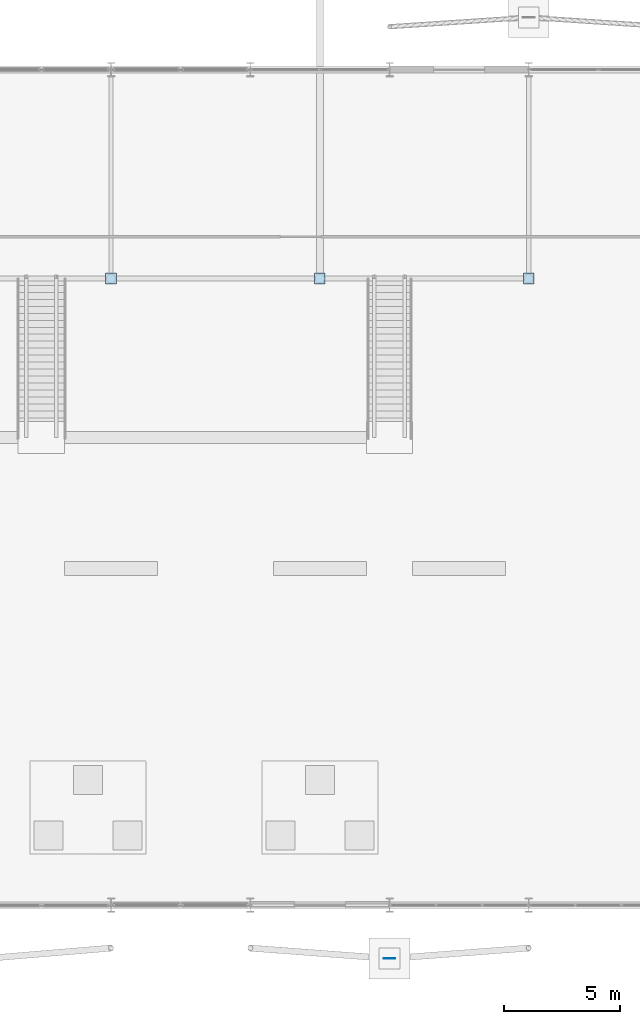
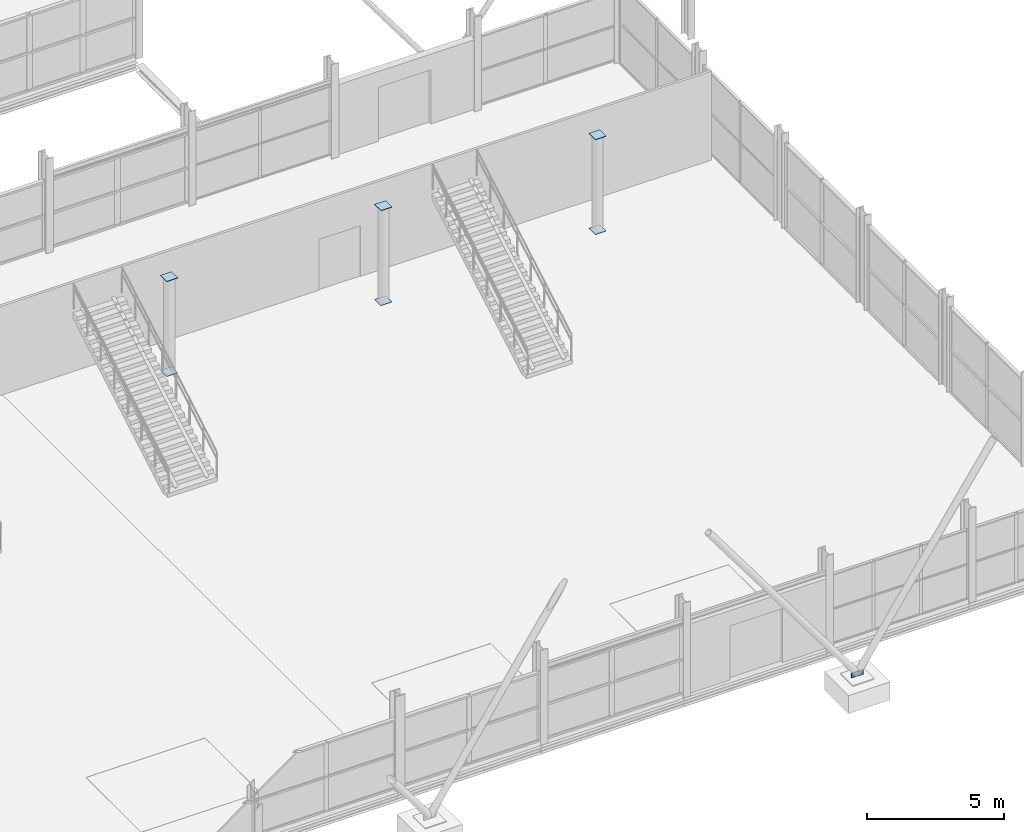
# One storey, part 109 of 140: 7 plates.
"""IFC4 building model written with IfcOpenShell, lengths in metres."""

from ifc_helpers import new_model, si_unit, direction, frame, origin, origin_2d, place, context, subcontext, project, spatial, rectangle, extrude, material, layer, layer_set, type_object, element, save


model = new_model("IFC4")

# Units and contexts
model_context = context("Model", 3, precision=1e-05, world=origin(), true_north=direction((0.0, 1.0)))
body_context = subcontext(model_context, "Body", "Model", "MODEL_VIEW")
ifc_project = project(units=[si_unit("LENGTHUNIT", "METRE"), si_unit("AREAUNIT", "SQUARE_METRE"), si_unit("VOLUMEUNIT", "CUBIC_METRE"), si_unit("PLANEANGLEUNIT", "RADIAN"), si_unit("MASSUNIT", "GRAM", prefix="KILO")], contexts=[model_context])

# Site, building, storey
site_placement = place(None, origin())
site = spatial("IfcSite", under=ifc_project, at=site_placement, CompositionType="ELEMENT")
building_placement = place(site_placement, origin())
building = spatial("IfcBuilding", under=site, at=building_placement, Name="Deido Ridge Mobility Hub", CompositionType="ELEMENT")
storey_placement = place(building_placement, origin())
storey = spatial("IfcBuildingStorey", under=building, at=storey_placement, Name="L00", CompositionType="ELEMENT", Elevation=0.0)

# Plates
ifc_material = material(Name="Steel S355J2 EN 10025-2", Category="steel")
ifc_layer_1 = layer(ifc_material, 0.02197265625, Name="Steel S355J2 EN 10025-2")
ifc_layer_set_1 = layer_set([ifc_layer_1], Name="Steel S355J2 EN 10025-2")
plate_type_1 = type_object("IfcPlateType", Name="PLT-CAP-22", PredefinedType="USERDEFINED", material=ifc_layer_set_1)
for number, where, z_axis, x_axis, name in (
    (1, (36.0, 27.0, -0.02197265625), (0.0, 0.0, 1.0), (1.0, 0.0, 0.0), "Hollow column C10 base cap plate EC2"),
    (2, (36.0, 27.0, 4.199951171875), (0.0, 0.0, 1.0), (1.0, 0.0, 0.0), "Hollow column C10 head cap plate EC2"),
    (3, (45.0, 27.0, -0.02197265625), (0.0, 0.0, 1.0), (1.0, 0.0, 0.0), "Hollow column C10 base cap plate EC2"),
    (4, (45.0, 27.0, 4.199951171875), (0.0, 0.0, 1.0), (1.0, 0.0, 0.0), "Hollow column C10 head cap plate EC2"),
    (5, (54.0, 27.0, -0.02197265625), (0.0, 0.0, 1.0), (1.0, 0.0, 0.0), "Hollow column C10 base cap plate EC2"),
    (6, (54.0, 27.0, 4.199951171875), (0.0, 0.0, 1.0), (1.0, 0.0, 0.0), "Hollow column C10 head cap plate EC2"),
):
    element("IfcPlate", number, at=place(storey_placement, frame(where, z_axis=z_axis, x_axis=x_axis)), inside=storey, type_object=plate_type_1, Name=name, ObjectType="END CAP PLATE", PredefinedType="USERDEFINED", context=body_context, shape_type="SweptSolid", body=[
        extrude(rectangle(XDim=0.4599609375, YDim=0.4599609375, at=origin_2d()), origin(), (0.0, 0.0, 1.0), 0.02197265625),
    ])
ifc_layer_2 = layer(ifc_material, 0.031982421875, Name="Steel S355J2 EN 10025-2")
ifc_layer_set_2 = layer_set([ifc_layer_2], Name="Steel S355J2 EN 10025-2")
plate_type_2 = type_object("IfcPlateType", Name="PLT-GUS-32", PredefinedType="USERDEFINED", material=ifc_layer_set_2)
plate_placement = place(storey_placement, frame((48.0, -2.300048828125, 0.03515625), z_axis=(0.0, 0.0, 1.0), x_axis=(1.0, 0.0, 0.0)))
element("IfcPlate", 7, at=plate_placement, inside=storey, type_object=plate_type_2, Name="Exoskeleton V-strut pedestal gusset GP4 108", ObjectType="GUSSET PLATE", PredefinedType="USERDEFINED", context=body_context, shape_type="SweptSolid", body=[
    extrude(rectangle(XDim=0.5, YDim=0.031982421875, at=origin_2d()), origin(), (0.0, 0.0, 1.0), 0.219970703125),
])

save(model, "model.ifc")
